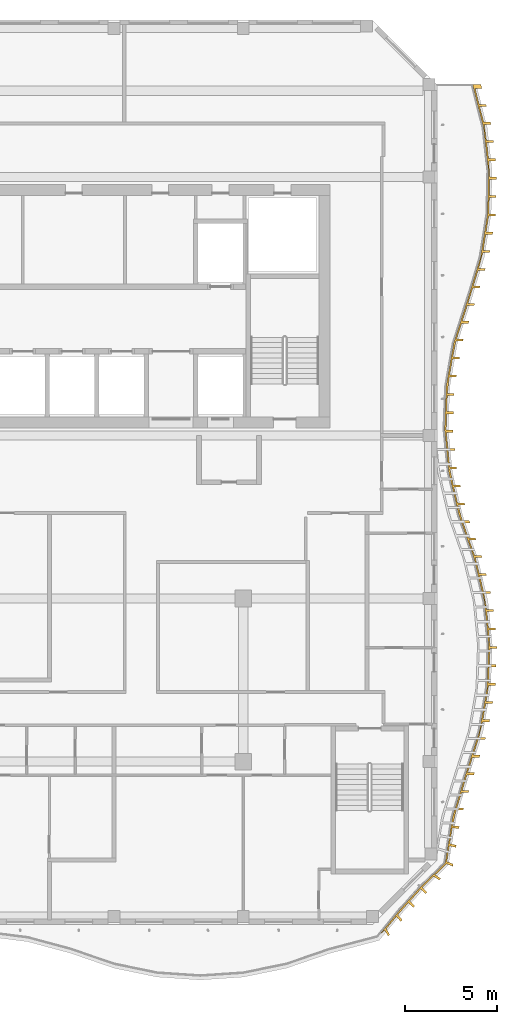
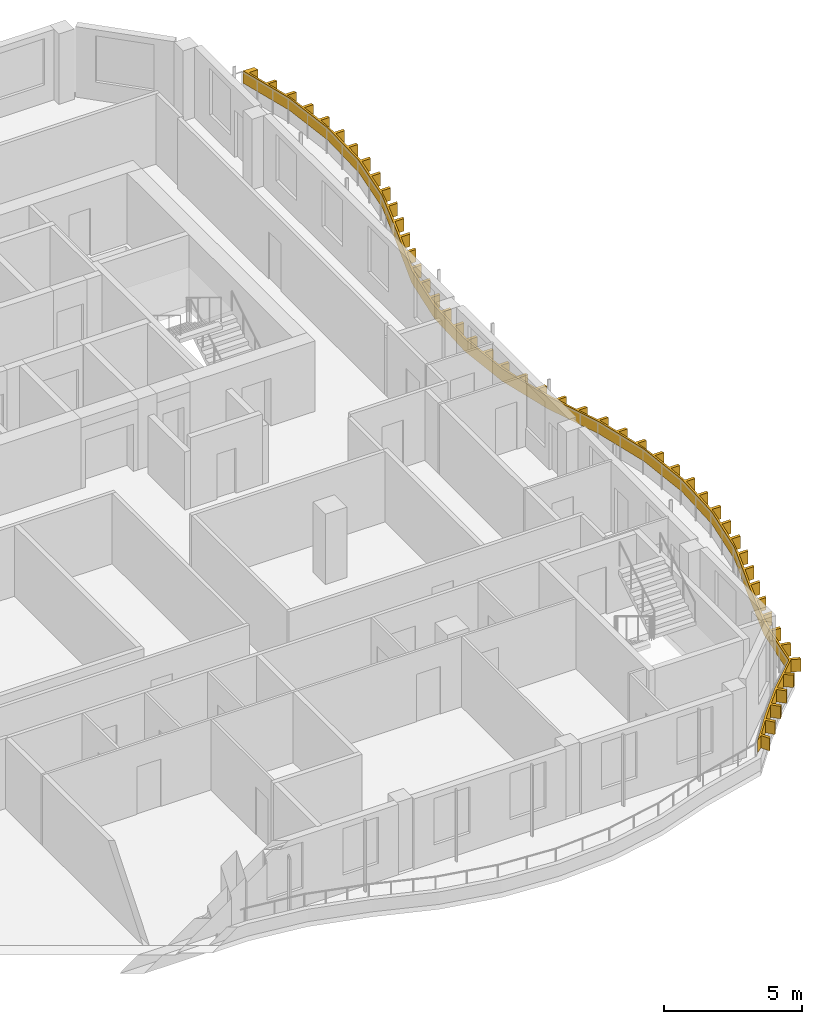
# One storey, part 17 of 18: 1 shading device.
"""IFC4 building model written with IfcOpenShell, lengths in metres."""

from ifc_helpers import new_model, si_unit, direction, frame, origin, place, context, subcontext, project, spatial, polyline, outline, extrude, source, transform, mapped, material, layer, layer_set, type_object, element, save


model = new_model("IFC4")

# Units and contexts
model_context = context("Model", 3, precision=1e-05, world=origin(), true_north=direction((0.0, 1.0)))
body_context = subcontext(model_context, "Body", "Model", "MODEL_VIEW")
ifc_project = project(units=[si_unit("LENGTHUNIT", "METRE"), si_unit("AREAUNIT", "SQUARE_METRE"), si_unit("VOLUMEUNIT", "CUBIC_METRE"), si_unit("PLANEANGLEUNIT", "RADIAN"), si_unit("MASSUNIT", "GRAM", prefix="KILO")], contexts=[model_context])

# Site, building, storey
site_placement = place(None, origin())
site = spatial("IfcSite", under=ifc_project, at=site_placement, CompositionType="ELEMENT")
building_placement = place(site_placement, origin())
building = spatial("IfcBuilding", under=site, at=building_placement, Name="Kilnfold Tower and Market Hall", CompositionType="ELEMENT")
storey_placement = place(building_placement, frame((0.0, 0.0, 270.39990234375)))
storey = spatial("IfcBuildingStorey", under=building, at=storey_placement, Name="L66", CompositionType="ELEMENT", Elevation=270.39990234375)

# Shading device
ifc_material = material(Name="Bronze anodised aluminium", Category="aluminium")
ifc_layer = layer(ifc_material, 0.550048828125)
ifc_layer_set = layer_set([ifc_layer], Name="Bronze anodised aluminium")
shading_device_type = type_object("IfcShadingDeviceType", Name="BRONZE SLAT FASCIA 550", PredefinedType="USERDEFINED", material=ifc_layer_set)
shared_shape = source(origin(), body_context, "Body", "SweptSolid", [
    extrude(outline(polyline([(20.849609375, -19.130615234375), (20.672607421875, -18.810302734375), (20.40673828125, -19.021484375), (21.510498046875, -17.67724609375), (22.6162109375, -16.44970703125), (23.934814453125, -15.18017578125), (24.34228515625, -12.666748046875), (25.0537109375, -10.333251953125), (25.80078125, -8.0), (26.2060546875, -5.666748046875), (26.2919921875, -3.333251953125), (26.063720703125, -1.0), (25.5078125, 1.333251953125), (24.68798828125, 3.666748046875), (24.13427734375, 6.0), (23.90771484375, 8.333251953125), (23.995361328125, 10.666748046875), (24.40234375, 13.0), (25.1513671875, 15.333251953125), (25.860595703125, 17.666748046875), (26.23046875, 20.0), (26.28271484375, 22.333251953125), (26.019775390625, 24.666748046875), (25.427001953125, 27.0), (25.876953125, 27.0), (25.928955078125, 26.794921875), (25.55908203125, 26.794921875), (25.775634765625, 25.94189453125), (26.145751953125, 25.94189453125), (26.17529296875, 25.82568359375), (25.805419921875, 25.82568359375), (26.02197265625, 24.972900390625), (26.391845703125, 24.972900390625), (26.42138671875, 24.8564453125), (26.051513671875, 24.8564453125), (26.17626953125, 23.98681640625), (26.54638671875, 23.98681640625), (26.559814453125, 23.867431640625), (26.189697265625, 23.867431640625), (26.288330078125, 22.9931640625), (26.658203125, 22.9931640625), (26.671630859375, 22.873779296875), (26.3017578125, 22.873779296875), (26.35498046875, 21.997314453125), (26.72509765625, 21.997314453125), (26.722412109375, 21.87744140625), (26.352294921875, 21.87744140625), (26.332763671875, 20.99755859375), (26.702880859375, 20.99755859375), (26.7001953125, 20.877685546875), (26.330078125, 20.877685546875), (26.310302734375, 19.997802734375), (26.68017578125, 19.997802734375), (26.661376953125, 19.87939453125), (26.29150390625, 19.87939453125), (26.153564453125, 19.01025390625), (26.523681640625, 19.01025390625), (26.5048828125, 18.8916015625), (26.134765625, 18.8916015625), (25.9970703125, 18.0224609375), (26.3671875, 18.0224609375), (26.348388671875, 17.904052734375), (25.978271484375, 17.904052734375), (25.754638671875, 17.0546875), (26.12451171875, 17.0546875), (26.089599609375, 16.939697265625), (25.7197265625, 16.939697265625), (25.4638671875, 16.097900390625), (25.833740234375, 16.097900390625), (25.798828125, 15.98291015625), (25.428955078125, 15.98291015625), (25.169921875, 15.14208984375), (25.5400390625, 15.14208984375), (25.50341796875, 15.027587890625), (25.13330078125, 15.027587890625), (24.8642578125, 14.18994140625), (25.234375, 14.18994140625), (25.197509765625, 14.07568359375), (24.82763671875, 14.07568359375), (24.55859375, 13.23779296875), (24.9287109375, 13.23779296875), (24.891845703125, 13.12353515625), (24.52197265625, 13.12353515625), (24.353515625, 12.2607421875), (24.723388671875, 12.2607421875), (24.70263671875, 12.142578125), (24.332763671875, 12.142578125), (24.181396484375, 11.275634765625), (24.551513671875, 11.275634765625), (24.531005859375, 11.157470703125), (24.160888671875, 11.157470703125), (24.06103515625, 10.28515625), (24.430908203125, 10.28515625), (24.426513671875, 10.165283203125), (24.056396484375, 10.165283203125), (24.0234375, 9.285888671875), (24.393310546875, 9.285888671875), (24.388916015625, 9.166015625), (24.018798828125, 9.166015625), (23.9921875, 8.286865234375), (24.362060546875, 8.286865234375), (24.373779296875, 8.167236328125), (24.003662109375, 8.167236328125), (24.0888671875, 7.29150390625), (24.458740234375, 7.29150390625), (24.470458984375, 7.172119140625), (24.100341796875, 7.172119140625), (24.185302734375, 6.296142578125), (24.555419921875, 6.296142578125), (24.56689453125, 6.1767578125), (24.197021484375, 6.1767578125), (24.37646484375, 5.31640625), (24.746337890625, 5.31640625), (24.774169921875, 5.19970703125), (24.404296875, 5.19970703125), (24.607421875, 4.343505859375), (24.977294921875, 4.343505859375), (25.005126953125, 4.226806640625), (24.635009765625, 4.226806640625), (24.868896484375, 3.379638671875), (25.239013671875, 3.379638671875), (25.27880859375, 3.266357421875), (24.90869140625, 3.266357421875), (25.200439453125, 2.43603515625), (25.5703125, 2.43603515625), (25.610107421875, 2.322998046875), (25.240234375, 2.322998046875), (25.53173828125, 1.49267578125), (25.90185546875, 1.49267578125), (25.941650390625, 1.37939453125), (25.571533203125, 1.37939453125), (25.780517578125, 0.52490234375), (26.150390625, 0.52490234375), (26.17822265625, 0.408203125), (25.80810546875, 0.408203125), (26.01220703125, -0.447998046875), (26.382080078125, -0.447998046875), (26.409912109375, -0.564697265625), (26.039794921875, -0.564697265625), (26.185791015625, -1.430419921875), (26.5556640625, -1.430419921875), (26.5673828125, -1.5498046875), (26.197509765625, -1.5498046875), (26.283203125, -2.42578125), (26.6533203125, -2.42578125), (26.664794921875, -2.545166015625), (26.294921875, -2.545166015625), (26.368896484375, -3.42138671875), (26.73876953125, -3.42138671875), (26.734375, -3.541259765625), (26.3642578125, -3.541259765625), (26.33203125, -4.420654296875), (26.701904296875, -4.420654296875), (26.697509765625, -4.54052734375), (26.32763671875, -4.54052734375), (26.295166015625, -5.419921875), (26.665283203125, -5.419921875), (26.660888671875, -5.539794921875), (26.290771484375, -5.539794921875), (26.1572265625, -6.40869140625), (26.527099609375, -6.40869140625), (26.506591796875, -6.52685546875), (26.13671875, -6.52685546875), (25.986083984375, -7.39404296875), (26.356201171875, -7.39404296875), (26.335693359375, -7.51220703125), (25.965576171875, -7.51220703125), (25.763427734375, -8.36669921875), (26.133544921875, -8.36669921875), (26.096923828125, -8.480712890625), (25.726806640625, -8.480712890625), (25.45849609375, -9.31884765625), (25.82861328125, -9.31884765625), (25.7919921875, -9.43310546875), (25.421875, -9.43310546875), (25.153564453125, -10.271240234375), (25.5234375, -10.271240234375), (25.487548828125, -10.3857421875), (25.11767578125, -10.3857421875), (24.861083984375, -11.2275390625), (25.23095703125, -11.2275390625), (25.196044921875, -11.34228515625), (24.825927734375, -11.34228515625), (24.5693359375, -12.18408203125), (24.939453125, -12.18408203125), (24.904296875, -12.298828125), (24.534423828125, -12.298828125), (24.3427734375, -13.14697265625), (24.708984375, -13.173583984375), (24.688720703125, -13.29638671875), (24.32373046875, -13.26318359375), (24.184326171875, -14.115966796875), (24.54052734375, -14.197021484375), (24.5205078125, -14.31982421875), (24.16552734375, -14.232421875), (24.028564453125, -15.085693359375), (24.372314453125, -15.220458984375), (24.35205078125, -15.343505859375), (24.010009765625, -15.2021484375), (23.396484375, -15.801513671875), (23.70361328125, -15.9990234375), (23.614501953125, -16.088134765625), (23.312255859375, -15.8828125), (22.697509765625, -16.48193359375), (22.960693359375, -16.74169921875), (22.8779296875, -16.830810546875), (22.6162109375, -16.569091796875), (22.02734375, -17.222900390625), (22.2890625, -17.484619140625), (22.20849609375, -17.57373046875), (21.947021484375, -17.31201171875), (21.371337890625, -17.968017578125), (21.615234375, -18.242919921875), (21.533203125, -18.338134765625), (21.29638671875, -18.05810546875), (20.747314453125, -18.719970703125), (20.931640625, -19.03564453125), (20.849609375, -19.130615234375)])), origin(), (0.0, 0.0, 1.0), 0.550048828125),
])
shading_device_placement = place(storey_placement, frame((0.0, 0.0, 0.550048828125)))
element("IfcShadingDevice", 1, at=shading_device_placement, inside=storey, type_object=shading_device_type, Name="Balcony slat fascia L66", ObjectType="SLAT", PredefinedType="USERDEFINED", context=body_context, shape_type="MappedRepresentation", body=[
    mapped(shared_shape, transform((0.0, 0.0, 0.0))),
])

save(model, "model.ifc")
